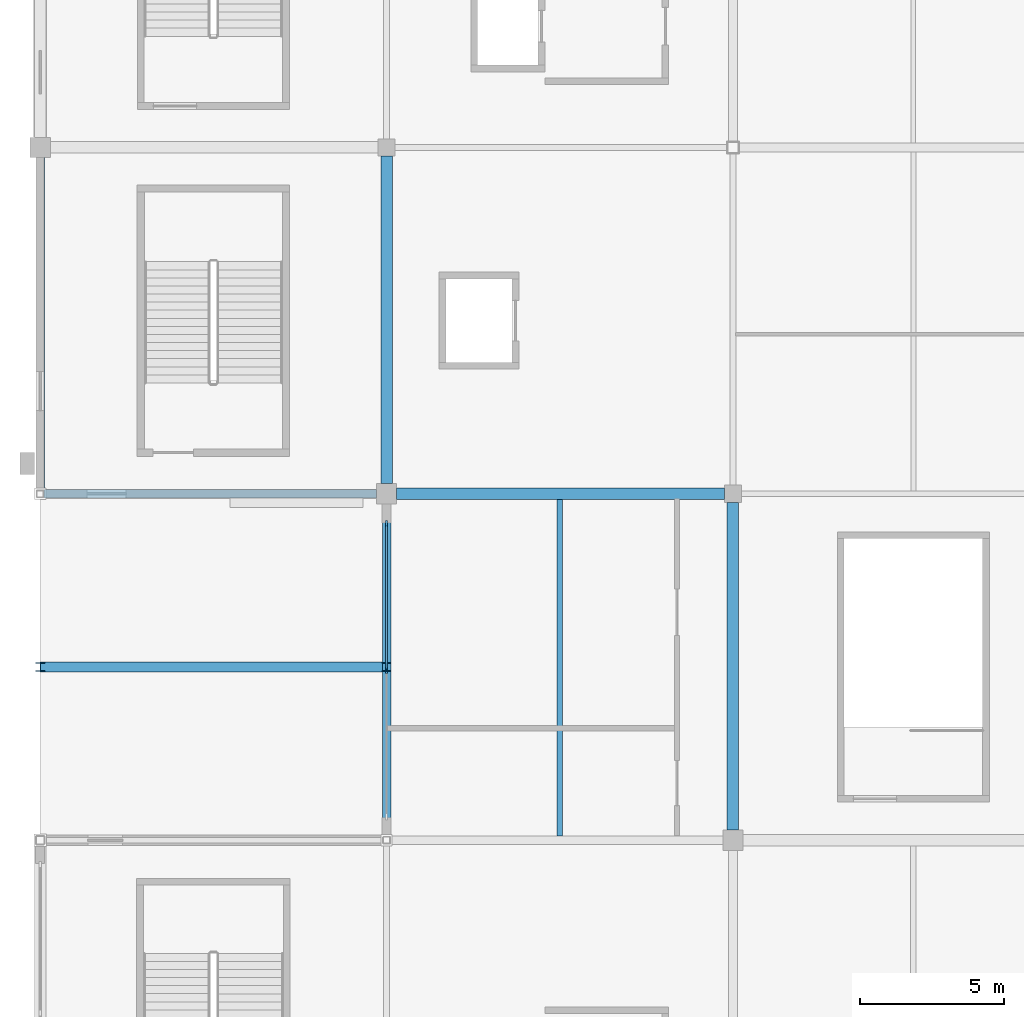
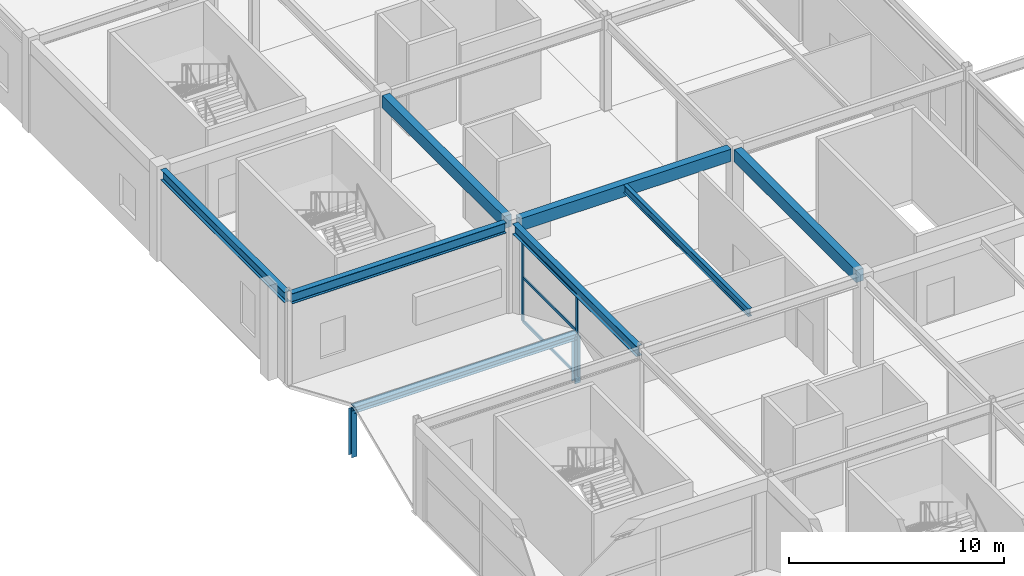
# One storey, part 39 of 105: 8 members, 7 beams, 1 element without a shape of its own.
"""IFC4 building model written with IfcOpenShell, lengths in metres."""

from ifc_helpers import new_model, si_unit, direction, frame, origin, origin_2d, place, context, subcontext, project, spatial, rectangle, i_section, extrude, material, layer, layer_set, material_profile, profile_set, type_object, element, aggregate, save


model = new_model("IFC4")

# Units and contexts
model_context = context("Model", 3, precision=1e-05, world=origin(), true_north=direction((0.0, 1.0)))
body_context = subcontext(model_context, "Body", "Model", "MODEL_VIEW")
ifc_project = project(units=[si_unit("LENGTHUNIT", "METRE"), si_unit("AREAUNIT", "SQUARE_METRE"), si_unit("VOLUMEUNIT", "CUBIC_METRE"), si_unit("PLANEANGLEUNIT", "RADIAN"), si_unit("MASSUNIT", "GRAM", prefix="KILO")], contexts=[model_context])

# Site, building, storey
site_placement = place(None, origin())
site = spatial("IfcSite", under=ifc_project, at=site_placement, CompositionType="ELEMENT")
building_placement = place(site_placement, origin())
building = spatial("IfcBuilding", under=site, at=building_placement, Name="Kazenohara Klinker Stadium", CompositionType="ELEMENT")
storey_placement = place(building_placement, frame((0.0, 0.0, 20.39990234375)))
storey = spatial("IfcBuildingStorey", under=building, at=storey_placement, Name="L04", CompositionType="ELEMENT", Elevation=20.39990234375)

# Beams
ifc_material_1 = material(Name="Steel S355", Category="steel")
ifc_material_profile_1 = material_profile(ifc_material_1, i_section(OverallWidth=0.199951171875, OverallDepth=0.449951171875, WebThickness=0.009033203125, FlangeThickness=0.013916015625, FilletRadius=0.012939453125, at=origin_2d()), Name="H-450x200x9x14")
ifc_profile_set_1 = profile_set([ifc_material_profile_1], Name="Steel S355")
beam_type_1 = type_object("IfcBeamType", Name="BM-JST02", PredefinedType="JOIST", material=ifc_profile_set_1)
beam_placement = place(storey_placement, frame((18.0, 120.14990234375, 4.955078125), z_axis=(0.0, 1.0, 0.0), x_axis=(-1.0, 0.0, 0.0)))
element("IfcBeam", 1, at=beam_placement, inside=storey, type_object=beam_type_1, Name="Secondary floor joist SJ02 L04 2/L", PredefinedType="JOIST", context=body_context, shape_type="SweptSolid", body=[
    extrude(i_section(OverallWidth=0.199951171875, OverallDepth=0.449951171875, WebThickness=0.009033203125, FlangeThickness=0.013916015625, FilletRadius=0.012939453125, at=origin_2d()), origin(), (0.0, 0.0, 1.0), 11.650146484375),
])
ifc_material_2 = material(Name="Concrete C40/50", Category="concrete")
ifc_material_profile_2 = material_profile(ifc_material_2, rectangle(XDim=0.39990234375, YDim=0.699951171875, at=origin_2d()), Name="RC-BM-400x700")
ifc_profile_set_2 = profile_set([ifc_material_profile_2], Name="Concrete C40/50")
beam_type_2 = type_object("IfcBeamType", Name="BM-RC04", PredefinedType="BEAM", material=ifc_profile_set_2)
for number, where, z_axis, x_axis, name in (
    (2, (12.35009765625, 132.0, 4.830078125), (1.0, 0.0, 0.0), (0.0, 1.0, 0.0), "Primary girder BG04 L04 2-3/M"),
    (3, (12.0, 132.35009765625, 4.830078125), (0.0, 1.0, 0.0), (-1.0, 0.0, 0.0), "Primary girder BG04 L04 2/M-N"),
    (4, (24.0, 120.35009765625, 4.830078125), (0.0, 1.0, 0.0), (-1.0, 0.0, 0.0), "Primary girder BG04 L04 3/L-M"),
):
    element("IfcBeam", number, at=place(storey_placement, frame(where, z_axis=z_axis, x_axis=x_axis)), inside=storey, type_object=beam_type_2, Name=name, PredefinedType="BEAM", context=body_context, shape_type="SweptSolid", body=[
        extrude(rectangle(XDim=0.39990234375, YDim=0.699951171875, at=origin_2d()), origin(), (0.0, 0.0, 1.0), 11.349853515625),
    ])
ifc_material_profile_3 = material_profile(ifc_material_1, i_section(OverallWidth=0.300048828125, OverallDepth=0.587890625, WebThickness=0.011962890625, FlangeThickness=0.02001953125, FilletRadius=0.02197265625, at=origin_2d()), Name="H-588x300x12x20")
ifc_profile_set_3 = profile_set([ifc_material_profile_3], Name="Steel S355")
beam_type_3 = type_object("IfcBeamType", Name="BM-ST05", PredefinedType="BEAM", material=ifc_profile_set_3)
for number, where, z_axis, x_axis, name in (
    (5, (0.125, 132.0, 4.885986328125), (1.0, 0.0, 0.0), (0.0, 1.0, 0.0), "Primary girder SB05 L04 1-2/M"),
    (6, (0.0, 132.125, 4.885986328125), (0.0, 1.0, 0.0), (-1.0, 0.0, 0.0), "Primary girder SB05 L04 1/M-N"),
    (7, (12.0, 120.125, 4.885986328125), (0.0, 1.0, 0.0), (-1.0, 0.0, 0.0), "Primary girder SB05 L04 2/L-M"),
):
    element("IfcBeam", number, at=place(storey_placement, frame(where, z_axis=z_axis, x_axis=x_axis)), inside=storey, type_object=beam_type_3, Name=name, PredefinedType="BEAM", context=body_context, shape_type="SweptSolid", body=[
        extrude(i_section(OverallWidth=0.300048828125, OverallDepth=0.587890625, WebThickness=0.011962890625, FlangeThickness=0.02001953125, FilletRadius=0.02197265625, at=origin_2d()), origin(), (0.0, 0.0, 1.0), 11.52490234375),
    ])

# Curtain wall, members
ifc_material_3 = material(Name="Anodised aluminium and triple glazing", Category="aluminium")
ifc_layer = layer(ifc_material_3, 0.18994140625)
ifc_layer_set = layer_set([ifc_layer], Name="Anodised aluminium and triple glazing")
curtain_wall_type = type_object("IfcCurtainWallType", Name="CW-SYS-05", PredefinedType="USERDEFINED", material=ifc_layer_set)
curtain_wall_placement = place(storey_placement, origin())
curtain_wall = element("IfcCurtainWall", 8, at=curtain_wall_placement, inside=storey, type_object=curtain_wall_type, Name="Unitised facade curtain wall CW05 L04 Y1-10", ObjectType="UNITISED CURTAIN WALL", PredefinedType="USERDEFINED")
ifc_material_4 = material(Name="Anodised aluminium 6063-T6", Category="aluminium")
ifc_material_profile_4 = material_profile(ifc_material_4, rectangle(XDim=0.074951171875, YDim=0.219970703125, at=origin_2d()), Name="ALU-MUL-75x220")
ifc_profile_set_4 = profile_set([ifc_material_profile_4], Name="Anodised aluminium 6063-T6")
member_type_1 = type_object("IfcMemberType", Name="CW-MUL-220", PredefinedType="MULLION", material=ifc_profile_set_4)
member_1_placement = place(storey_placement, frame((12.0, 125.887451171875, 0.0), z_axis=(0.0, 0.0, 1.0), x_axis=(-1.0, 0.0, 0.0)))
member_1 = element("IfcMember", 9, at=member_1_placement, type_object=member_type_1, Name="CW05 mullion 2", PredefinedType="MULLION", context=body_context, shape_type="SweptSolid", body=[
    extrude(rectangle(XDim=0.074951171875, YDim=0.219970703125, at=origin_2d()), origin(), (0.0, 0.0, 1.0), 4.592041015625),
])
member_2_placement = place(storey_placement, frame((12.0, 130.95849609375, 0.0), z_axis=(0.0, 0.0, 1.0), x_axis=(-1.0, 0.0, 0.0)))
member_2 = element("IfcMember", 10, at=member_2_placement, type_object=member_type_1, Name="CW05 mullion 3", PredefinedType="MULLION", context=body_context, shape_type="SweptSolid", body=[
    extrude(rectangle(XDim=0.074951171875, YDim=0.219970703125, at=origin_2d()), origin(), (0.0, 0.0, 1.0), 4.592041015625),
])
ifc_material_profile_5 = material_profile(ifc_material_4, rectangle(XDim=0.074951171875, YDim=0.159912109375, at=origin_2d()), Name="ALU-TRN-75x160")
ifc_profile_set_5 = profile_set([ifc_material_profile_5], Name="Anodised aluminium 6063-T6")
member_type_2 = type_object("IfcMemberType", Name="CW-TRN-160", PredefinedType="USERDEFINED", material=ifc_profile_set_5)
member_3_placement = place(storey_placement, frame((12.0, 125.925048828125, 0.03759765625), z_axis=(0.0, 1.0, 0.0), x_axis=(-1.0, 0.0, 0.0)))
member_3 = element("IfcMember", 11, at=member_3_placement, type_object=member_type_2, Name="CW05 transom 2.1", ObjectType="TRANSOM", PredefinedType="USERDEFINED", context=body_context, shape_type="SweptSolid", body=[
    extrude(rectangle(XDim=0.074951171875, YDim=0.159912109375, at=origin_2d()), origin(), (0.0, 0.0, 1.0), 4.995849609375),
])
member_4_placement = place(storey_placement, frame((12.0, 125.925048828125, 2.525634765625), z_axis=(0.0, 1.0, 0.0), x_axis=(-1.0, 0.0, 0.0)))
member_4 = element("IfcMember", 12, at=member_4_placement, type_object=member_type_2, Name="CW05 transom 2.2", ObjectType="TRANSOM", PredefinedType="USERDEFINED", context=body_context, shape_type="SweptSolid", body=[
    extrude(rectangle(XDim=0.074951171875, YDim=0.159912109375, at=origin_2d()), origin(), (0.0, 0.0, 1.0), 4.995849609375),
])
member_5_placement = place(storey_placement, frame((12.0, 125.925048828125, 4.5546875), z_axis=(0.0, 1.0, 0.0), x_axis=(-1.0, 0.0, 0.0)))
member_5 = element("IfcMember", 13, at=member_5_placement, type_object=member_type_2, Name="CW05 transom 2.3", ObjectType="TRANSOM", PredefinedType="USERDEFINED", context=body_context, shape_type="SweptSolid", body=[
    extrude(rectangle(XDim=0.074951171875, YDim=0.159912109375, at=origin_2d()), origin(), (0.0, 0.0, 1.0), 4.995849609375),
])
aggregate(curtain_wall, [member_1, member_2, member_3, member_4, member_5])

# Members
ifc_material_profile_6 = material_profile(ifc_material_1, i_section(OverallWidth=0.35009765625, OverallDepth=0.35009765625, WebThickness=0.011962890625, FlangeThickness=0.01904296875, FilletRadius=0.012939453125, at=origin_2d()), Name="H-350x350x12x19")
ifc_profile_set_6 = profile_set([ifc_material_profile_6], Name="Steel S355")
member_type_3 = type_object("IfcMemberType", Name="MEM-CHD02", PredefinedType="CHORD", material=ifc_profile_set_6)
member_6_placement = place(storey_placement, frame((0.0, 126.0, 2.22998046875), z_axis=(1.0, 0.0, 0.0), x_axis=(0.0, 1.0, 0.0)))
element("IfcMember", 14, at=member_6_placement, inside=storey, type_object=member_type_3, Name="Stepped pavilion gable ridge beam L04 1/L", PredefinedType="CHORD", context=body_context, shape_type="SweptSolid", body=[
    extrude(i_section(OverallWidth=0.35009765625, OverallDepth=0.35009765625, WebThickness=0.011962890625, FlangeThickness=0.01904296875, FilletRadius=0.012939453125, at=origin_2d()), origin(), (0.0, 0.0, 1.0), 12.0),
])
ifc_material_profile_7 = material_profile(ifc_material_1, i_section(OverallWidth=0.300048828125, OverallDepth=0.300048828125, WebThickness=0.010009765625, FlangeThickness=0.014892578125, FilletRadius=0.012939453125, at=origin_2d()), Name="H-300x300x10x15")
ifc_profile_set_7 = profile_set([ifc_material_profile_7], Name="Steel S355")
member_type_4 = type_object("IfcMemberType", Name="MEM-STR01", PredefinedType="STRUT", material=ifc_profile_set_7)
for number, where, z_axis, x_axis, name in (
    (15, (0.0, 126.0, -0.429931640625), (0.0, 0.0, 1.0), (1.0, 0.0, 0.0), "Stepped pavilion gable king-post L04 1/L W"),
    (16, (12.0, 126.0, -0.429931640625), (0.0, 0.0, 1.0), (1.0, 0.0, 0.0), "Stepped pavilion gable king-post L04 1/L E"),
):
    element("IfcMember", number, at=place(storey_placement, frame(where, z_axis=z_axis, x_axis=x_axis)), inside=storey, type_object=member_type_4, Name=name, PredefinedType="STRUT", context=body_context, shape_type="SweptSolid", body=[
        extrude(i_section(OverallWidth=0.300048828125, OverallDepth=0.300048828125, WebThickness=0.010009765625, FlangeThickness=0.014892578125, FilletRadius=0.012939453125, at=origin_2d()), origin(), (0.0, 0.0, 1.0), 2.659912109375),
    ])

save(model, "model.ifc")
